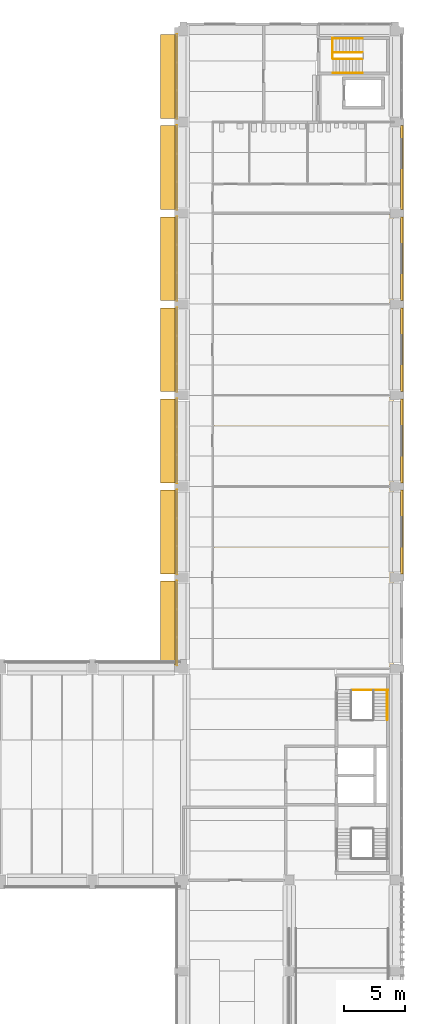
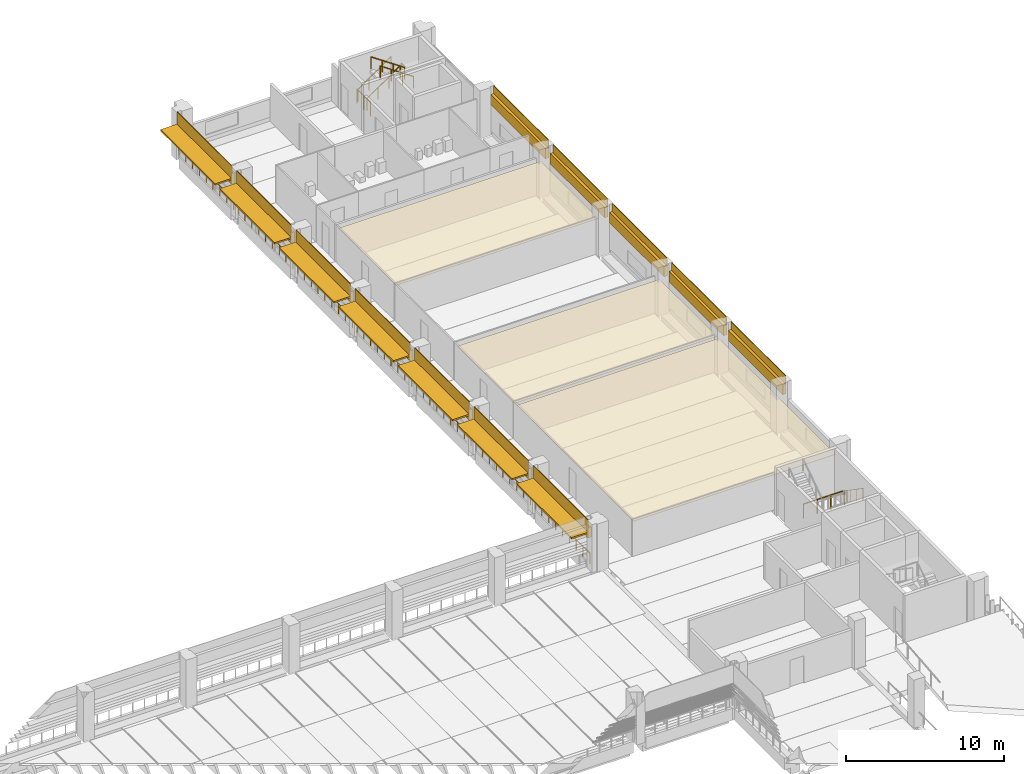
# One storey, part 55 of 61: 15 coverings, 14 railings, 7 shading devices.
"""IFC4 building model written with IfcOpenShell, lengths in metres."""

from ifc_helpers import new_model, si_unit, direction, frame, origin, origin_2d, place, context, subcontext, project, spatial, polyline, circle, outline, extrude, material, layer, layer_set, type_object, element, save


model = new_model("IFC4")

# Units and contexts
model_context = context("Model", 3, precision=1e-05, world=origin(), true_north=direction((0.0, 1.0)))
body_context = subcontext(model_context, "Body", "Model", "MODEL_VIEW")
ifc_project = project(units=[si_unit("LENGTHUNIT", "METRE"), si_unit("AREAUNIT", "SQUARE_METRE"), si_unit("VOLUMEUNIT", "CUBIC_METRE"), si_unit("PLANEANGLEUNIT", "RADIAN"), si_unit("MASSUNIT", "GRAM", prefix="KILO")], contexts=[model_context])

# Site, building, storey
site_placement = place(None, origin())
site = spatial("IfcSite", under=ifc_project, at=site_placement, CompositionType="ELEMENT")
building_placement = place(site_placement, origin())
building = spatial("IfcBuilding", under=site, at=building_placement, Name="Cour d'Honneur Mobility Palace", CompositionType="ELEMENT")
storey_placement = place(building_placement, frame((0.0, 0.0, 11.89990234375)))
storey = spatial("IfcBuildingStorey", under=building, at=storey_placement, Name="L03", CompositionType="ELEMENT", Elevation=11.89990234375)

# Railings
ifc_material_1 = material(Name="Painted steel", Category="steel")
railing_type_1 = type_object("IfcRailingType", Name="Balustrade", PredefinedType="BALUSTRADE", material=ifc_material_1)
for number, where, name in (
    (1, (144.35009765625, 114.60009765625, 0.300048828125), "Balustrade BAL-163"),
    (2, (144.35009765625, 107.10009765625, 0.300048828125), "Balustrade BAL-164"),
    (3, (144.35009765625, 99.60009765625, 0.300048828125), "Balustrade BAL-165"),
    (4, (144.35009765625, 92.10009765625, 0.300048828125), "Balustrade BAL-166"),
    (5, (144.35009765625, 84.60009765625, 0.300048828125), "Balustrade BAL-167"),
    (6, (144.35009765625, 77.10009765625, 0.300048828125), "Balustrade BAL-168"),
    (7, (144.35009765625, 69.60009765625, 0.300048828125), "Balustrade BAL-169"),
):
    element("IfcRailing", number, at=place(storey_placement, frame(where)), inside=storey, type_object=railing_type_1, Name=name, PredefinedType="BALUSTRADE", context=body_context, shape_type="SweptSolid", body=[
        extrude(circle(Radius=0.02392578125, at=origin_2d()), frame((0.0, 0.0, 0.77587890625), z_axis=(0.0, -1.0, 0.0), x_axis=(1.0, 0.0, 0.0)), (0.0, 0.0, 1.0), 6.900146484375),
        extrude(circle(Radius=0.02099609375, at=origin_2d()), origin(), (0.0, 0.0, 1.0), 0.751953125),
        extrude(circle(Radius=0.02099609375, at=origin_2d()), frame((0.0, -0.862548828125, 0.0)), (0.0, 0.0, 1.0), 0.751953125),
        extrude(circle(Radius=0.02099609375, at=origin_2d()), frame((0.0, -1.72509765625, 0.0)), (0.0, 0.0, 1.0), 0.751953125),
        extrude(circle(Radius=0.02099609375, at=origin_2d()), frame((0.0, -2.587646484375, 0.0)), (0.0, 0.0, 1.0), 0.751953125),
        extrude(circle(Radius=0.02099609375, at=origin_2d()), frame((0.0, -3.4501953125, 0.0)), (0.0, 0.0, 1.0), 0.751953125),
        extrude(circle(Radius=0.02099609375, at=origin_2d()), frame((0.0, -4.3125, 0.0)), (0.0, 0.0, 1.0), 0.751953125),
        extrude(circle(Radius=0.02099609375, at=origin_2d()), frame((0.0, -5.175048828125, 0.0)), (0.0, 0.0, 1.0), 0.751953125),
        extrude(circle(Radius=0.02099609375, at=origin_2d()), frame((0.0, -6.03759765625, 0.0)), (0.0, 0.0, 1.0), 0.751953125),
        extrude(circle(Radius=0.02099609375, at=origin_2d()), frame((0.0, -6.900146484375, 0.0)), (0.0, 0.0, 1.0), 0.751953125),
    ])
ifc_material_2 = material(Name="Painted steel", Category="steel")
railing_type_2 = type_object("IfcRailingType", Name="Guardrail 1100", PredefinedType="GUARDRAIL", material=ifc_material_2)
railing_1_placement = place(storey_placement, frame((158.75, 60.64501953125, 0.0)))
element("IfcRailing", 8, at=railing_1_placement, inside=storey, type_object=railing_type_2, Name="Guard ST-CE2", PredefinedType="GUARDRAIL", context=body_context, shape_type="SweptSolid", body=[
    extrude(circle(Radius=0.02490234375, at=origin_2d()), frame((0.0, 0.0, 1.0751953125), z_axis=(1.0, 0.0, 0.0), x_axis=(0.0, 1.0, 0.0)), (0.0, 0.0, 1.0), 2.97509765625),
    extrude(circle(Radius=0.02099609375, at=origin_2d()), origin(), (0.0, 0.0, 1.0), 1.050048828125),
    extrude(circle(Radius=0.02099609375, at=origin_2d()), frame((0.99169921875, 0.0, 0.0)), (0.0, 0.0, 1.0), 1.050048828125),
    extrude(circle(Radius=0.02099609375, at=origin_2d()), frame((1.9833984375, 0.0, 0.0)), (0.0, 0.0, 1.0), 1.050048828125),
    extrude(circle(Radius=0.02099609375, at=origin_2d()), frame((2.97509765625, 0.0, 0.0)), (0.0, 0.0, 1.0), 1.050048828125),
])
railing_2_placement = place(storey_placement, frame((157.179931640625, 112.64990234375, 0.0)))
element("IfcRailing", 9, at=railing_2_placement, inside=storey, type_object=railing_type_2, Name="Guard ST-NE1", PredefinedType="GUARDRAIL", context=body_context, shape_type="SweptSolid", body=[
    extrude(circle(Radius=0.02490234375, at=origin_2d()), frame((0.0, 0.0, 1.0751953125), z_axis=(0.0, 1.0, 0.0), x_axis=(-1.0, 0.0, 0.0)), (0.0, 0.0, 1.0), 1.675048828125),
    extrude(circle(Radius=0.02099609375, at=origin_2d()), origin(), (0.0, 0.0, 1.0), 1.050048828125),
    extrude(circle(Radius=0.02099609375, at=origin_2d()), frame((0.0, 0.83740234375, 0.0)), (0.0, 0.0, 1.0), 1.050048828125),
    extrude(circle(Radius=0.02099609375, at=origin_2d()), frame((0.0, 1.675048828125, 0.0)), (0.0, 0.0, 1.0), 1.050048828125),
])
ifc_material_3 = material(Name="Stainless steel", Category="steel")
railing_type_3 = type_object("IfcRailingType", Name="Handrail round 50", PredefinedType="HANDRAIL", material=ifc_material_3)
railing_3_placement = place(storey_placement, frame((161.675048828125, 60.625, 0.18505859375)))
element("IfcRailing", 10, at=railing_3_placement, inside=storey, type_object=railing_type_3, Name="Handrail ST-CE2", PredefinedType="HANDRAIL", context=body_context, shape_type="SweptSolid", body=[
    extrude(circle(Radius=0.02490234375, at=origin_2d()), frame((0.0, 0.0, 0.89501953125), z_axis=(0.0, -0.8249187745, 0.56525128525), x_axis=(1.0, 0.0, 0.0)), (0.0, 0.0, 1.0), 2.945556640625),
    extrude(circle(Radius=0.02099609375, at=origin_2d()), origin(), (0.0, 0.0, 1.0), 0.869873046875),
    extrude(circle(Radius=0.02099609375, at=origin_2d()), frame((0.0, -0.81005859375, 0.554931640625)), (0.0, 0.0, 1.0), 0.869873046875),
    extrude(circle(Radius=0.02099609375, at=origin_2d()), frame((0.0, -1.619873046875, 1.110107421875)), (0.0, 0.0, 1.0), 0.869873046875),
    extrude(circle(Radius=0.02099609375, at=origin_2d()), frame((0.0, -2.429931640625, 1.6650390625)), (0.0, 0.0, 1.0), 0.869873046875),
])
for number, where, name in (
    (11, (157.199951171875, 114.27490234375, 0.18505859375), "Handrail ST-NE1"),
    (12, (157.199951171875, 113.125, 0.18505859375), "Handrail ST-NE1"),
):
    element("IfcRailing", number, at=place(storey_placement, frame(where)), inside=storey, type_object=railing_type_3, Name=name, PredefinedType="HANDRAIL", context=body_context, shape_type="SweptSolid", body=[
        extrude(circle(Radius=0.02490234375, at=origin_2d()), frame((0.0, 0.0, 0.89501953125), z_axis=(0.8249187745, 0.0, 0.56525128525), x_axis=(0.0, 1.0, 0.0)), (0.0, 0.0, 1.0), 2.945556640625),
        extrude(circle(Radius=0.02099609375, at=origin_2d()), origin(), (0.0, 0.0, 1.0), 0.869873046875),
        extrude(circle(Radius=0.02099609375, at=origin_2d()), frame((0.81005859375, 0.0, 0.554931640625)), (0.0, 0.0, 1.0), 0.869873046875),
        extrude(circle(Radius=0.02099609375, at=origin_2d()), frame((1.619873046875, 0.0, 1.110107421875)), (0.0, 0.0, 1.0), 0.869873046875),
        extrude(circle(Radius=0.02099609375, at=origin_2d()), frame((2.429931640625, 0.0, 1.6650390625)), (0.0, 0.0, 1.0), 0.869873046875),
    ])
for number, where, name in (
    (13, (159.6298828125, 112.60009765625, 2.03515625), "Handrail ST-NE1"),
    (14, (159.6298828125, 111.449951171875, 2.03515625), "Handrail ST-NE1"),
):
    element("IfcRailing", number, at=place(storey_placement, frame(where)), inside=storey, type_object=railing_type_3, Name=name, PredefinedType="HANDRAIL", context=body_context, shape_type="SweptSolid", body=[
        extrude(circle(Radius=0.02490234375, at=origin_2d()), frame((0.0, 0.0, 0.89501953125), z_axis=(-0.8249187745, 0.0, 0.56525128525), x_axis=(0.0, -1.0, 0.0)), (0.0, 0.0, 1.0), 2.945556640625),
        extrude(circle(Radius=0.02099609375, at=origin_2d()), origin(), (0.0, 0.0, 1.0), 0.869873046875),
        extrude(circle(Radius=0.02099609375, at=origin_2d()), frame((-0.81005859375, 0.0, 0.554931640625)), (0.0, 0.0, 1.0), 0.869873046875),
        extrude(circle(Radius=0.02099609375, at=origin_2d()), frame((-1.619873046875, 0.0, 1.110107421875)), (0.0, 0.0, 1.0), 0.869873046875),
        extrude(circle(Radius=0.02099609375, at=origin_2d()), frame((-2.429931640625, 0.0, 1.6650390625)), (0.0, 0.0, 1.0), 0.869873046875),
    ])

# Coverings
ifc_material_4 = material(Name="Cast limestone", Category="masonry")
ifc_layer_1 = layer(ifc_material_4, 0.25)
ifc_layer_set_1 = layer_set([ifc_layer_1], Name="Cast limestone")
covering_type_1 = type_object("IfcCoveringType", Name="Spandrel cladding", PredefinedType="CLADDING", material=ifc_layer_set_1)
for number, where, z_axis, x_axis, name in (
    (15, (162.75, 70.199951171875, 2.300048828125), (0.0, -1.0, 0.0), (1.0, 0.0, 0.0), "Spandrel cladding SK-233"),
    (16, (162.75, 77.699951171875, 2.300048828125), (0.0, -1.0, 0.0), (1.0, 0.0, 0.0), "Spandrel cladding SK-234"),
    (17, (162.75, 85.199951171875, 2.300048828125), (0.0, -1.0, 0.0), (1.0, 0.0, 0.0), "Spandrel cladding SK-235"),
    (18, (162.75, 92.699951171875, 2.300048828125), (0.0, -1.0, 0.0), (1.0, 0.0, 0.0), "Spandrel cladding SK-236"),
    (19, (162.75, 100.199951171875, 2.300048828125), (0.0, -1.0, 0.0), (1.0, 0.0, 0.0), "Spandrel cladding SK-237"),
    (20, (144.449951171875, 114.60009765625, 2.300048828125), (0.0, 1.0, 0.0), (-1.0, 0.0, 0.0), "Spandrel cladding SK-238"),
    (21, (144.449951171875, 107.10009765625, 2.300048828125), (0.0, 1.0, 0.0), (-1.0, 0.0, 0.0), "Spandrel cladding SK-239"),
    (22, (144.449951171875, 99.60009765625, 2.300048828125), (0.0, 1.0, 0.0), (-1.0, 0.0, 0.0), "Spandrel cladding SK-240"),
    (23, (144.449951171875, 92.10009765625, 2.300048828125), (0.0, 1.0, 0.0), (-1.0, 0.0, 0.0), "Spandrel cladding SK-241"),
    (24, (144.449951171875, 84.60009765625, 2.300048828125), (0.0, 1.0, 0.0), (-1.0, 0.0, 0.0), "Spandrel cladding SK-242"),
    (25, (144.449951171875, 77.10009765625, 2.300048828125), (0.0, 1.0, 0.0), (-1.0, 0.0, 0.0), "Spandrel cladding SK-243"),
    (26, (144.449951171875, 69.60009765625, 2.300048828125), (0.0, 1.0, 0.0), (-1.0, 0.0, 0.0), "Spandrel cladding SK-244"),
):
    element("IfcCovering", number, at=place(storey_placement, frame(where, z_axis=z_axis, x_axis=x_axis)), inside=storey, type_object=covering_type_1, Name=name, PredefinedType="CLADDING", context=body_context, shape_type="SweptSolid", body=[
        extrude(outline(polyline([(0.0, 0.0), (0.25, 0.0), (0.25, 1.400146484375), (0.199951171875, 1.400146484375), (0.199951171875, 0.800048828125), (0.0, 0.800048828125), (0.0, 0.0)])), origin(), (0.0, 0.0, -1.0), 6.89990234375),
    ])

# Shading devices
ifc_material_5 = material(Name="Anodised aluminium", Category="aluminium")
ifc_layer_2 = layer(ifc_material_5, 0.1201171875)
ifc_layer_set_2 = layer_set([ifc_layer_2], Name="Anodised aluminium")
shading_device_type = type_object("IfcShadingDeviceType", Name="Sunshade 1200", PredefinedType="AWNING", material=ifc_layer_set_2)
shading_device_1_placement = place(storey_placement, frame((0.0, 0.0, 2.630126953125)))
element("IfcShadingDevice", 27, at=shading_device_1_placement, inside=storey, type_object=shading_device_type, Name="Sunshade W7.0 L03", PredefinedType="AWNING", context=body_context, shape_type="SweptSolid", body=[
    extrude(outline(polyline([(144.199951171875, 114.60009765625), (144.199951171875, 107.699951171875), (143.0, 107.699951171875), (143.0, 114.60009765625), (144.199951171875, 114.60009765625)])), origin(), (0.0, 0.0, 1.0), 0.119873046875),
])
shading_device_2_placement = place(storey_placement, frame((0.0, 0.0, 2.630126953125)))
element("IfcShadingDevice", 28, at=shading_device_2_placement, inside=storey, type_object=shading_device_type, Name="Sunshade W7.1 L03", PredefinedType="AWNING", context=body_context, shape_type="SweptSolid", body=[
    extrude(outline(polyline([(144.199951171875, 107.10009765625), (144.199951171875, 100.199951171875), (143.0, 100.199951171875), (143.0, 107.10009765625), (144.199951171875, 107.10009765625)])), origin(), (0.0, 0.0, 1.0), 0.119873046875),
])
shading_device_3_placement = place(storey_placement, frame((0.0, 0.0, 2.630126953125)))
element("IfcShadingDevice", 29, at=shading_device_3_placement, inside=storey, type_object=shading_device_type, Name="Sunshade W7.2 L03", PredefinedType="AWNING", context=body_context, shape_type="SweptSolid", body=[
    extrude(outline(polyline([(144.199951171875, 99.60009765625), (144.199951171875, 92.699951171875), (143.0, 92.699951171875), (143.0, 99.60009765625), (144.199951171875, 99.60009765625)])), origin(), (0.0, 0.0, 1.0), 0.119873046875),
])
shading_device_4_placement = place(storey_placement, frame((0.0, 0.0, 2.630126953125)))
element("IfcShadingDevice", 30, at=shading_device_4_placement, inside=storey, type_object=shading_device_type, Name="Sunshade W7.3 L03", PredefinedType="AWNING", context=body_context, shape_type="SweptSolid", body=[
    extrude(outline(polyline([(144.199951171875, 92.10009765625), (144.199951171875, 85.199951171875), (143.0, 85.199951171875), (143.0, 92.10009765625), (144.199951171875, 92.10009765625)])), origin(), (0.0, 0.0, 1.0), 0.119873046875),
])
shading_device_5_placement = place(storey_placement, frame((0.0, 0.0, 2.630126953125)))
element("IfcShadingDevice", 31, at=shading_device_5_placement, inside=storey, type_object=shading_device_type, Name="Sunshade W7.4 L03", PredefinedType="AWNING", context=body_context, shape_type="SweptSolid", body=[
    extrude(outline(polyline([(144.199951171875, 84.60009765625), (144.199951171875, 77.699951171875), (143.0, 77.699951171875), (143.0, 84.60009765625), (144.199951171875, 84.60009765625)])), origin(), (0.0, 0.0, 1.0), 0.119873046875),
])
shading_device_6_placement = place(storey_placement, frame((0.0, 0.0, 2.630126953125)))
element("IfcShadingDevice", 32, at=shading_device_6_placement, inside=storey, type_object=shading_device_type, Name="Sunshade W7.5 L03", PredefinedType="AWNING", context=body_context, shape_type="SweptSolid", body=[
    extrude(outline(polyline([(144.199951171875, 77.10009765625), (144.199951171875, 70.199951171875), (143.0, 70.199951171875), (143.0, 77.10009765625), (144.199951171875, 77.10009765625)])), origin(), (0.0, 0.0, 1.0), 0.119873046875),
])
shading_device_7_placement = place(storey_placement, frame((0.0, 0.0, 2.630126953125)))
element("IfcShadingDevice", 33, at=shading_device_7_placement, inside=storey, type_object=shading_device_type, Name="Sunshade W7.6 L03", PredefinedType="AWNING", context=body_context, shape_type="SweptSolid", body=[
    extrude(outline(polyline([(144.199951171875, 69.60009765625), (144.199951171875, 62.699951171875), (143.0, 62.699951171875), (143.0, 69.60009765625), (144.199951171875, 69.60009765625)])), origin(), (0.0, 0.0, 1.0), 0.119873046875),
])

# Coverings
ifc_material_6 = material(Name="Suspended ceiling")
ifc_layer_3 = layer(ifc_material_6, 0.030029296875)
ifc_layer_set_3 = layer_set([ifc_layer_3], Name="Suspended ceiling")
covering_type_2 = type_object("IfcCoveringType", Name="Suspended ceiling", PredefinedType="CEILING", material=ifc_layer_set_3)
covering_1_placement = place(storey_placement, frame((0.0, 0.0, 2.550048828125)))
element("IfcCovering", 34, at=covering_1_placement, inside=storey, type_object=covering_type_2, Name="Ceiling Driving Simulator Room", PredefinedType="CEILING", context=body_context, shape_type="SweptSolid", body=[
    extrude(outline(polyline([(162.179931640625, 62.52001953125), (147.419921875, 62.52001953125), (147.419921875, 77.280029296875), (162.179931640625, 77.280029296875), (162.179931640625, 62.52001953125)])), origin(), (0.0, 0.0, 1.0), 0.030029296875),
])
covering_2_placement = place(storey_placement, frame((0.0, 0.0, 2.550048828125)))
element("IfcCovering", 35, at=covering_2_placement, inside=storey, type_object=covering_type_2, Name="Ceiling Staff Room", PredefinedType="CEILING", context=body_context, shape_type="SweptSolid", body=[
    extrude(outline(polyline([(162.179931640625, 77.52001953125), (147.419921875, 77.52001953125), (147.419921875, 84.780029296875), (162.179931640625, 84.780029296875), (162.179931640625, 77.52001953125)])), origin(), (0.0, 0.0, 1.0), 0.030029296875),
])
covering_3_placement = place(storey_placement, frame((0.0, 0.0, 2.550048828125)))
element("IfcCovering", 36, at=covering_3_placement, inside=storey, type_object=covering_type_2, Name="Ceiling Service Centre Office", PredefinedType="CEILING", context=body_context, shape_type="SweptSolid", body=[
    extrude(outline(polyline([(162.179931640625, 92.52001953125), (147.419921875, 92.52001953125), (147.419921875, 99.780029296875), (162.179931640625, 99.780029296875), (162.179931640625, 92.52001953125)])), origin(), (0.0, 0.0, 1.0), 0.030029296875),
])

save(model, "model.ifc")
